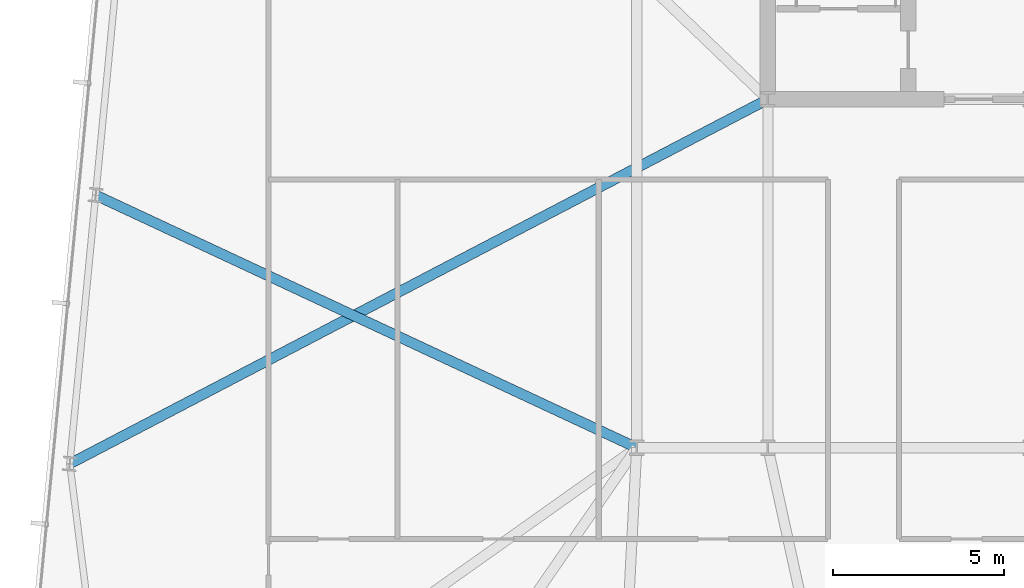
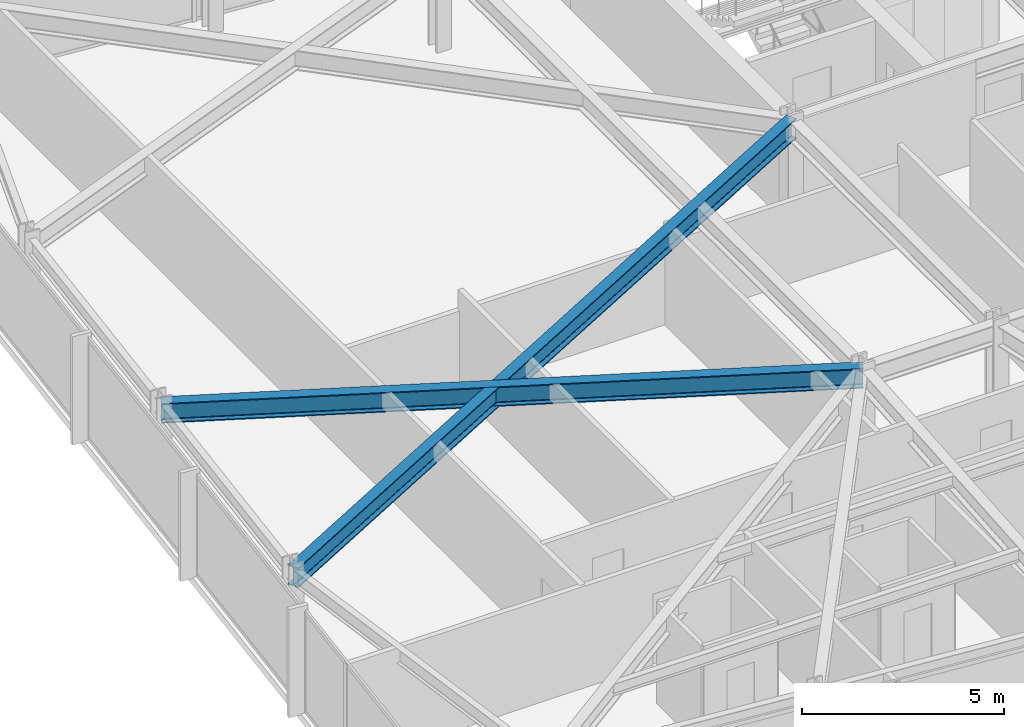
# One storey, part 9 of 38: 2 beams.
"""IFC4 building model written with IfcOpenShell, lengths in metres."""

from ifc_helpers import new_model, si_unit, direction, frame, origin, origin_2d, place, context, subcontext, project, spatial, i_section, extrude, material, material_profile, profile_set, type_object, element, save


model = new_model("IFC4")

# Units and contexts
model_context = context("Model", 3, precision=1e-05, world=origin(), true_north=direction((0.0, 1.0)))
body_context = subcontext(model_context, "Body", "Model", "MODEL_VIEW")
ifc_project = project(units=[si_unit("LENGTHUNIT", "METRE"), si_unit("AREAUNIT", "SQUARE_METRE"), si_unit("VOLUMEUNIT", "CUBIC_METRE"), si_unit("PLANEANGLEUNIT", "RADIAN"), si_unit("MASSUNIT", "GRAM", prefix="KILO")], contexts=[model_context])

# Site, building, storey
site_placement = place(None, origin())
site = spatial("IfcSite", under=ifc_project, at=site_placement, CompositionType="ELEMENT")
building_placement = place(site_placement, origin())
building = spatial("IfcBuilding", under=site, at=building_placement, Name="Yelkora Congress Tower", CompositionType="ELEMENT")
storey_placement = place(building_placement, frame((0.0, 0.0, 185.300048828125)))
storey = spatial("IfcBuildingStorey", under=building, at=storey_placement, Name="L51", CompositionType="ELEMENT", Elevation=185.300048828125)

# Beams
ifc_material = material(Name="Steel S355J2", Category="steel")
ifc_material_profile = material_profile(ifc_material, i_section(OverallWidth=0.300048828125, OverallDepth=0.60009765625, WebThickness=0.015380859375, FlangeThickness=0.030029296875, FilletRadius=0.027099609375, at=origin_2d()), Name="HEB 600")
ifc_profile_set = profile_set([ifc_material_profile], Name="Steel S355J2")
beam_type = type_object("IfcBeamType", Name="BM-GIRD-HEB600", PredefinedType="BEAM", material=ifc_profile_set)
beam_1_placement = place(storey_placement, frame((2.607421875, 24.730712890625, 2.780029296875), z_axis=(0.886430124978, 0.462862434781, 0.0), x_axis=(-0.462862434781, 0.886430124978, 0.0)))
element("IfcBeam", 1, at=beam_1_placement, inside=storey, type_object=beam_type, Name="L51 Primary Frame Girder W01", PredefinedType="BEAM", context=body_context, shape_type="SweptSolid", body=[
    extrude(i_section(OverallWidth=0.300048828125, OverallDepth=0.60009765625, WebThickness=0.015380859375, FlangeThickness=0.030029296875, FilletRadius=0.027099609375, at=origin_2d()), origin(), (0.0, 0.0, 1.0), 23.050537109375),
])
beam_2_placement = place(storey_placement, frame((3.364501953125, 32.594482421875, 2.780029296875), z_axis=(0.906081045456, -0.423104170466, 0.0), x_axis=(0.423104170466, 0.906081045456, 0.0)))
element("IfcBeam", 2, at=beam_2_placement, inside=storey, type_object=beam_type, Name="L51 Primary Frame Girder W02", PredefinedType="BEAM", context=body_context, shape_type="SweptSolid", body=[
    extrude(i_section(OverallWidth=0.300048828125, OverallDepth=0.60009765625, WebThickness=0.015380859375, FlangeThickness=0.030029296875, FilletRadius=0.027099609375, at=origin_2d()), origin(), (0.0, 0.0, 1.0), 17.476806640625),
])

save(model, "model.ifc")
